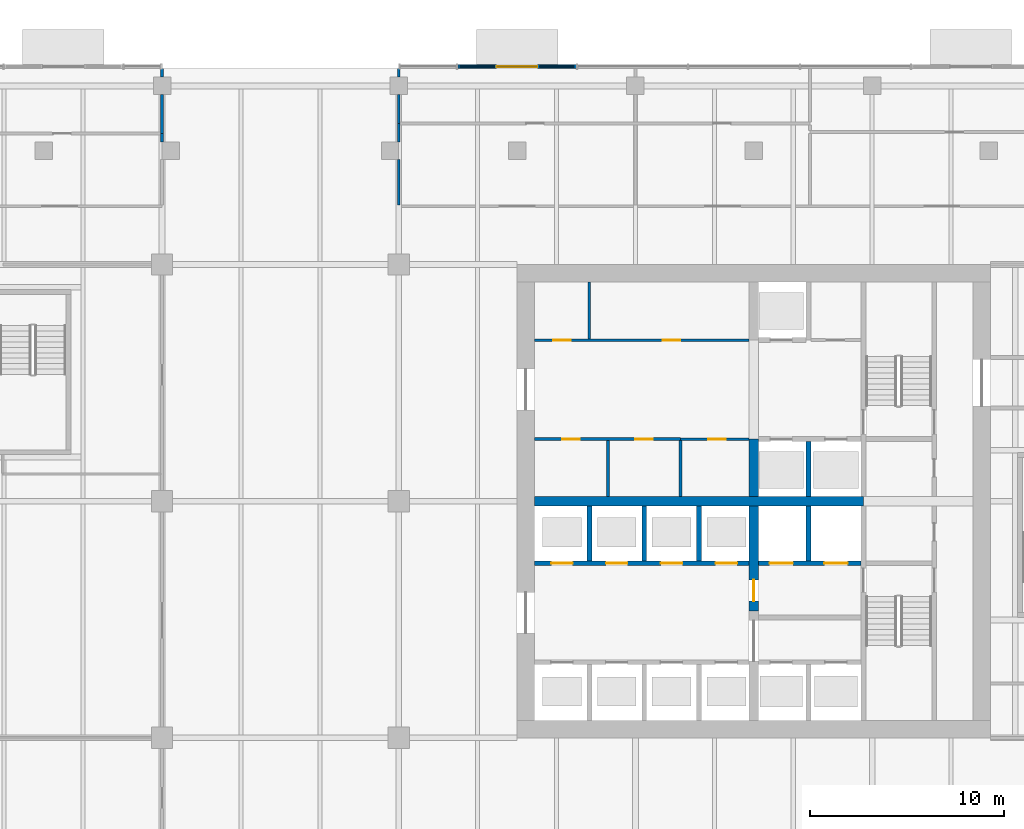
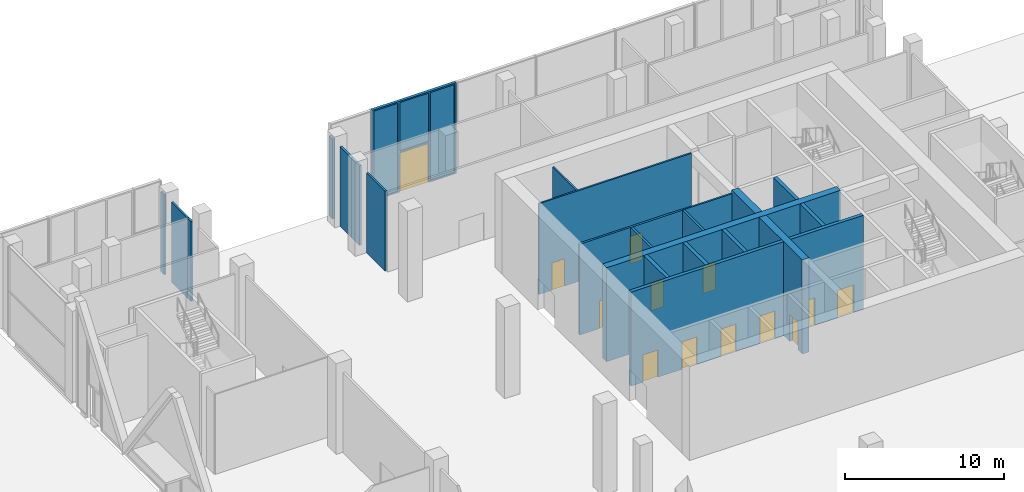
# One storey, part 20 of 36: 24 walls, 13 doors, 3 plates, 16 openings.
"""IFC4 building model written with IfcOpenShell, lengths in metres."""

from ifc_helpers import new_model, si_unit, direction, frame, frame_2d, origin, place, context, subcontext, project, spatial, polyline, rectangle, outline, extrude, source, transform, mapped, material, layer, layer_set, type_object, element, fill, save


model = new_model("IFC4")

# Units and contexts
model_context = context("Model", 3, precision=1e-05, world=origin(), true_north=direction((0.0, 1.0)))
body_context = subcontext(model_context, "Body", "Model", "MODEL_VIEW")
ifc_project = project(units=[si_unit("LENGTHUNIT", "METRE"), si_unit("AREAUNIT", "SQUARE_METRE"), si_unit("VOLUMEUNIT", "CUBIC_METRE"), si_unit("PLANEANGLEUNIT", "RADIAN"), si_unit("MASSUNIT", "GRAM", prefix="KILO")], contexts=[model_context])

# Site, building, storey
site_placement = place(None, origin())
site = spatial("IfcSite", under=ifc_project, at=site_placement, CompositionType="ELEMENT")
building_placement = place(site_placement, origin())
building = spatial("IfcBuilding", under=site, at=building_placement, Name="Tessera Gate Towers", CompositionType="ELEMENT")
storey_placement = place(building_placement, origin())
storey = spatial("IfcBuildingStorey", under=building, at=storey_placement, Name="L00", CompositionType="ELEMENT", Elevation=0.0)

# Wall, openings, doors
ifc_material_1 = material(Name="Concrete C40/50", Category="concrete")
ifc_layer_1 = layer(ifc_material_1, 0.25)
ifc_layer_set_1 = layer_set([ifc_layer_1], Name="CORE ENCLOSURE WALL 250")
wall_type_1 = type_object("IfcWallType", Name="CORE ENCLOSURE WALL 250", PredefinedType="SOLIDWALL", material=ifc_layer_set_1)
wall_1_placement = place(storey_placement, frame((42.449951171875, 33.39990234375, 0.0), z_axis=(0.0, 0.0, 1.0), x_axis=(-1.0, 0.0, 0.0)))
wall_1 = element("IfcWall", 1, at=wall_1_placement, inside=storey, type_object=wall_type_1, Name="L00 shaft and stair enclosure wall", PredefinedType="SOLIDWALL", context=body_context, shape_type="SweptSolid", body=[
    extrude(rectangle(XDim=11.050048828125, YDim=0.25, at=frame_2d((5.52490234375, 0.0))), origin(), (0.0, 0.0, 1.0), 7.199951171875),
])
shared_shape_1 = source(origin(), body_context, "Body", "SweptSolid", [
    extrude(rectangle(XDim=1.10009765625, YDim=2.10009765625, at=frame_2d((0.550048828125, 1.050048828125))), frame((0.0, 0.135009765625, 0.0), z_axis=(0.0, -1.0, 0.0), x_axis=(1.0, 0.0, 0.0)), (0.0, 0.0, 1.0), 0.27001953125),
])
opening_1_placement = place(wall_1_placement, frame((9.08740234375, 0.0, 0.0)))
opening_1 = element("IfcOpeningElement", 2, at=opening_1_placement, cuts=wall_1, Name="Opening LD-LR5", PredefinedType="OPENING", context=body_context, shape_type="MappedRepresentation", body=[
    mapped(shared_shape_1, transform((0.0, 0.0, 0.0), scale=1.0)),
])
opening_2_placement = place(wall_1_placement, frame((6.262451171875, 0.0, 0.0)))
opening_2 = element("IfcOpeningElement", 3, at=opening_2_placement, cuts=wall_1, Name="Opening LD-LR6", PredefinedType="OPENING", context=body_context, shape_type="MappedRepresentation", body=[
    mapped(shared_shape_1, transform((0.0, 0.0, 0.0), scale=1.0)),
])
opening_3_placement = place(wall_1_placement, frame((3.4375, 0.0, 0.0)))
opening_3 = element("IfcOpeningElement", 4, at=opening_3_placement, cuts=wall_1, Name="Opening LD-LR7", PredefinedType="OPENING", context=body_context, shape_type="MappedRepresentation", body=[
    mapped(shared_shape_1, transform((0.0, 0.0, 0.0), scale=1.0)),
])
opening_4_placement = place(wall_1_placement, frame((0.612548828125, 0.0, 0.0)))
opening_4 = element("IfcOpeningElement", 5, at=opening_4_placement, cuts=wall_1, Name="Opening LD-LR8", PredefinedType="OPENING", context=body_context, shape_type="MappedRepresentation", body=[
    mapped(shared_shape_1, transform((0.0, 0.0, 0.0), scale=1.0)),
])
ifc_material_2 = material(Name="Stainless steel", Category="steel")
door_type_1 = type_object("IfcDoorType", Name="CORE DOOR LD 1100x2100", OperationType="DOUBLE_DOOR_SLIDING", PredefinedType="DOOR", material=ifc_material_2)
shared_shape_2 = source(origin(), body_context, "Body", "SweptSolid", [
    extrude(rectangle(XDim=1.10009765625, YDim=2.10009765625, at=frame_2d((0.550048828125, 1.050048828125))), frame((0.0, 0.02490234375, 0.0), z_axis=(0.0, -1.0, 0.0), x_axis=(1.0, 0.0, 0.0)), (0.0, 0.0, 1.0), 0.050048828125),
])
door_1_placement = place(opening_1_placement, origin())
door_1 = element("IfcDoor", 6, at=door_1_placement, inside=storey, type_object=door_type_1, Name="Landing door LR5 L00", OperationType="DOUBLE_DOOR_SLIDING", OverallHeight=2.10009765625, OverallWidth=1.10009765625, PredefinedType="DOOR", context=body_context, shape_type="MappedRepresentation", body=[
    mapped(shared_shape_2, transform((0.0, 0.0, 0.0), scale=1.0)),
])
fill(opening_1, door_1)
door_2_placement = place(opening_2_placement, origin())
door_2 = element("IfcDoor", 7, at=door_2_placement, inside=storey, type_object=door_type_1, Name="Landing door LR6 L00", OperationType="DOUBLE_DOOR_SLIDING", OverallHeight=2.10009765625, OverallWidth=1.10009765625, PredefinedType="DOOR", context=body_context, shape_type="MappedRepresentation", body=[
    mapped(shared_shape_2, transform((0.0, 0.0, 0.0), scale=1.0)),
])
fill(opening_2, door_2)
door_3_placement = place(opening_3_placement, origin())
door_3 = element("IfcDoor", 8, at=door_3_placement, inside=storey, type_object=door_type_1, Name="Landing door LR7 L00", OperationType="DOUBLE_DOOR_SLIDING", OverallHeight=2.10009765625, OverallWidth=1.10009765625, PredefinedType="DOOR", context=body_context, shape_type="MappedRepresentation", body=[
    mapped(shared_shape_2, transform((0.0, 0.0, 0.0), scale=1.0)),
])
fill(opening_3, door_3)
door_4_placement = place(opening_4_placement, origin())
door_4 = element("IfcDoor", 9, at=door_4_placement, inside=storey, type_object=door_type_1, Name="Landing door LR8 L00", OperationType="DOUBLE_DOOR_SLIDING", OverallHeight=2.10009765625, OverallWidth=1.10009765625, PredefinedType="DOOR", context=body_context, shape_type="MappedRepresentation", body=[
    mapped(shared_shape_2, transform((0.0, 0.0, 0.0), scale=1.0)),
])
fill(opening_4, door_4)

wall_2_placement = place(storey_placement, frame((48.22509765625, 33.39990234375, 0.0), z_axis=(0.0, 0.0, 1.0), x_axis=(-1.0, 0.0, 0.0)))
wall_2 = element("IfcWall", 10, at=wall_2_placement, inside=storey, type_object=wall_type_1, Name="L00 shaft and stair enclosure wall", PredefinedType="SOLIDWALL", context=body_context, shape_type="SweptSolid", body=[
    extrude(rectangle(XDim=5.275146484375, YDim=0.25, at=frame_2d((2.6376953125, 0.0))), origin(), (0.0, 0.0, 1.0), 7.199951171875),
])
shared_shape_3 = source(origin(), body_context, "Body", "SweptSolid", [
    extrude(rectangle(XDim=1.199951171875, YDim=2.10009765625, at=frame_2d((0.60009765625, 1.050048828125))), frame((0.0, 0.135009765625, 0.0), z_axis=(0.0, -1.0, 0.0), x_axis=(1.0, 0.0, 0.0)), (0.0, 0.0, 1.0), 0.27001953125),
])
opening_5_placement = place(wall_2_placement, frame((3.512451171875, 0.0, 0.0)))
opening_5 = element("IfcOpeningElement", 11, at=opening_5_placement, cuts=wall_2, Name="Opening LD-FF1", PredefinedType="OPENING", context=body_context, shape_type="MappedRepresentation", body=[
    mapped(shared_shape_3, transform((0.0, 0.0, 0.0), scale=1.0)),
])
opening_6_placement = place(wall_2_placement, frame((0.6875, 0.0, 0.0)))
opening_6 = element("IfcOpeningElement", 12, at=opening_6_placement, cuts=wall_2, Name="Opening LD-FF2", PredefinedType="OPENING", context=body_context, shape_type="MappedRepresentation", body=[
    mapped(shared_shape_3, transform((0.0, 0.0, 0.0), scale=1.0)),
])
ifc_material_3 = material(Name="Stainless steel", Category="steel")
door_type_2 = type_object("IfcDoorType", Name="CORE DOOR LD1200 1200x2100", OperationType="DOUBLE_DOOR_SLIDING", PredefinedType="DOOR", material=ifc_material_3)
shared_shape_4 = source(origin(), body_context, "Body", "SweptSolid", [
    extrude(rectangle(XDim=1.199951171875, YDim=2.10009765625, at=frame_2d((0.60009765625, 1.050048828125))), frame((0.0, 0.02490234375, 0.0), z_axis=(0.0, -1.0, 0.0), x_axis=(1.0, 0.0, 0.0)), (0.0, 0.0, 1.0), 0.050048828125),
])
door_5_placement = place(opening_5_placement, origin())
door_5 = element("IfcDoor", 13, at=door_5_placement, inside=storey, type_object=door_type_2, Name="Landing door FF1 L00", OperationType="DOUBLE_DOOR_SLIDING", OverallHeight=2.10009765625, OverallWidth=1.199951171875, PredefinedType="DOOR", context=body_context, shape_type="MappedRepresentation", body=[
    mapped(shared_shape_4, transform((0.0, 0.0, 0.0), scale=1.0)),
])
fill(opening_5, door_5)
door_6_placement = place(opening_6_placement, origin())
door_6 = element("IfcDoor", 14, at=door_6_placement, inside=storey, type_object=door_type_2, Name="Landing door FF2 L00", OperationType="DOUBLE_DOOR_SLIDING", OverallHeight=2.10009765625, OverallWidth=1.199951171875, PredefinedType="DOOR", context=body_context, shape_type="MappedRepresentation", body=[
    mapped(shared_shape_4, transform((0.0, 0.0, 0.0), scale=1.0)),
])
fill(opening_6, door_6)

# Walls
wall_3_placement = place(storey_placement, frame((45.52490234375, 33.52490234375, 0.0), z_axis=(0.0, 0.0, 1.0), x_axis=(0.0, 1.0, 0.0)))
element("IfcWall", 15, at=wall_3_placement, inside=storey, type_object=wall_type_1, Name="L00 shaft and stair enclosure wall", PredefinedType="SOLIDWALL", context=body_context, shape_type="SweptSolid", body=[
    extrude(rectangle(XDim=2.8251953125, YDim=0.25, at=frame_2d((1.41259765625, 0.0))), origin(), (0.0, 0.0, 1.0), 7.199951171875),
])
wall_4_placement = place(storey_placement, frame((45.52490234375, 36.85009765625, 0.0), z_axis=(0.0, 0.0, 1.0), x_axis=(0.0, 1.0, 0.0)))
element("IfcWall", 16, at=wall_4_placement, inside=storey, type_object=wall_type_1, Name="L00 shaft and stair enclosure wall", PredefinedType="SOLIDWALL", context=body_context, shape_type="SweptSolid", body=[
    extrude(rectangle(XDim=2.824951171875, YDim=0.25, at=frame_2d((1.41259765625, 0.0))), origin(), (0.0, 0.0, 1.0), 7.199951171875),
])
for number, where, z_axis, x_axis, name in (
    (17, (34.22509765625, 33.52490234375, 0.0), (0.0, 0.0, 1.0), (0.0, 1.0, 0.0), "L00 shaft and stair enclosure wall"),
    (18, (37.050048828125, 33.52490234375, 0.0), (0.0, 0.0, 1.0), (0.0, 1.0, 0.0), "L00 shaft and stair enclosure wall"),
    (19, (39.875, 33.52490234375, 0.0), (0.0, 0.0, 1.0), (0.0, 1.0, 0.0), "L00 shaft and stair enclosure wall"),
):
    element("IfcWall", number, at=place(storey_placement, frame(where, z_axis=z_axis, x_axis=x_axis)), inside=storey, type_object=wall_type_1, Name=name, PredefinedType="SOLIDWALL", context=body_context, shape_type="SweptSolid", body=[
        extrude(rectangle(XDim=2.8251953125, YDim=0.25, at=frame_2d((1.41259765625, 0.0))), origin(), (0.0, 0.0, 1.0), 7.199951171875),
    ])

# Wall, openings, doors
ifc_material_4 = material(Name="Gypsum board on steel studs", Category="steel")
ifc_layer_2 = layer(ifc_material_4, 0.1201171875)
ifc_layer_set_2 = layer_set([ifc_layer_2], Name="CORE PARTITION 120")
wall_type_2 = type_object("IfcWallType", Name="CORE PARTITION 120", PredefinedType="PARTITIONING", material=ifc_layer_set_2)
wall_5_placement = place(storey_placement, frame((31.39990234375, 44.89990234375, 0.0), z_axis=(0.0, 0.0, 1.0), x_axis=(1.0, 0.0, 0.0)))
wall_5 = element("IfcWall", 20, at=wall_5_placement, inside=storey, type_object=wall_type_2, Name="L00 core partition", PredefinedType="PARTITIONING", context=body_context, shape_type="SweptSolid", body=[
    extrude(rectangle(XDim=11.050048828125, YDim=0.1201171875, at=frame_2d((5.52490234375, 0.0))), origin(), (0.0, 0.0, 1.0), 6.949951171875),
])
shared_shape_5 = source(origin(), body_context, "Body", "SweptSolid", [
    extrude(rectangle(XDim=0.89990234375, YDim=2.10009765625, at=frame_2d((0.449951171875, 1.050048828125))), frame((0.0, 0.070068359375, 0.0), z_axis=(0.0, -1.0, 0.0), x_axis=(1.0, 0.0, 0.0)), (0.0, 0.0, 1.0), 0.14013671875),
])
opening_7_placement = place(wall_5_placement, frame((0.96240234375, 0.0, 0.0)))
opening_7 = element("IfcOpeningElement", 21, at=opening_7_placement, cuts=wall_5, Name="Opening RD-T1-02-08", PredefinedType="OPENING", context=body_context, shape_type="MappedRepresentation", body=[
    mapped(shared_shape_5, transform((0.0, 0.0, 0.0), scale=1.0)),
])
opening_8_placement = place(wall_5_placement, frame((6.612548828125, 0.0, 0.0)))
opening_8 = element("IfcOpeningElement", 22, at=opening_8_placement, cuts=wall_5, Name="Opening RD-T1-02-09", PredefinedType="OPENING", context=body_context, shape_type="MappedRepresentation", body=[
    mapped(shared_shape_5, transform((0.0, 0.0, 0.0), scale=1.0)),
])
ifc_material_5 = material(Name="Hollow steel fire door", Category="steel")
door_type_3 = type_object("IfcDoorType", Name="CORE DOOR RD 900x2100", OperationType="NOTDEFINED", PredefinedType="DOOR", material=ifc_material_5)
shared_shape_6 = source(origin(), body_context, "Body", "SweptSolid", [
    extrude(rectangle(XDim=0.89990234375, YDim=2.10009765625, at=frame_2d((0.449951171875, 1.050048828125))), frame((0.0, 0.02490234375, 0.0), z_axis=(0.0, -1.0, 0.0), x_axis=(1.0, 0.0, 0.0)), (0.0, 0.0, 1.0), 0.050048828125),
])
door_7_placement = place(opening_7_placement, origin())
door_7 = element("IfcDoor", 23, at=door_7_placement, inside=storey, type_object=door_type_3, Name="Core room door", OperationType="SINGLE_SWING_LEFT", OverallHeight=2.10009765625, OverallWidth=0.89990234375, PredefinedType="DOOR", context=body_context, shape_type="MappedRepresentation", body=[
    mapped(shared_shape_6, transform((0.0, 0.0, 0.0), scale=1.0)),
])
fill(opening_7, door_7)
door_8_placement = place(opening_8_placement, origin())
door_8 = element("IfcDoor", 24, at=door_8_placement, inside=storey, type_object=door_type_3, Name="Core room door", OperationType="SINGLE_SWING_RIGHT", OverallHeight=2.10009765625, OverallWidth=0.89990234375, PredefinedType="DOOR", context=body_context, shape_type="MappedRepresentation", body=[
    mapped(shared_shape_6, transform((0.0, 0.0, 0.0), scale=1.0)),
])
fill(opening_8, door_8)

# Wall, opening, door
wall_6_placement = place(storey_placement, frame((42.449951171875, 39.800048828125, 0.0), z_axis=(0.0, 0.0, 1.0), x_axis=(-1.0, 0.0, 0.0)))
wall_6 = element("IfcWall", 25, at=wall_6_placement, inside=storey, type_object=wall_type_2, Name="L00 core partition", PredefinedType="PARTITIONING", context=body_context, shape_type="SweptSolid", body=[
    extrude(rectangle(XDim=3.52490234375, YDim=0.1201171875, at=frame_2d((1.762451171875, 0.0))), origin(), (0.0, 0.0, 1.0), 6.949951171875),
])
opening_9_placement = place(wall_6_placement, frame((1.1875, 0.0, 0.0)))
opening_9 = element("IfcOpeningElement", 26, at=opening_9_placement, cuts=wall_6, Name="Opening RD-T1-02-12", PredefinedType="OPENING", context=body_context, shape_type="MappedRepresentation", body=[
    mapped(shared_shape_5, transform((0.0, 0.0, 0.0), scale=1.0)),
])
door_9_placement = place(opening_9_placement, origin())
door_9 = element("IfcDoor", 27, at=door_9_placement, inside=storey, type_object=door_type_3, Name="Core room door", OperationType="SINGLE_SWING_LEFT", OverallHeight=2.10009765625, OverallWidth=0.89990234375, PredefinedType="DOOR", context=body_context, shape_type="MappedRepresentation", body=[
    mapped(shared_shape_6, transform((0.0, 0.0, 0.0), scale=1.0)),
])
fill(opening_9, door_9)

# Walls
wall_7_placement = place(storey_placement, frame((34.22509765625, 44.9599609375, 0.0), z_axis=(0.0, 0.0, 1.0), x_axis=(0.0, 1.0, 0.0)))
element("IfcWall", 28, at=wall_7_placement, inside=storey, type_object=wall_type_2, Name="L00 core partition", PredefinedType="PARTITIONING", context=body_context, shape_type="SweptSolid", body=[
    extrude(rectangle(XDim=2.93994140625, YDim=0.1201171875, at=frame_2d((1.469970703125, 0.0))), origin(), (0.0, 0.0, 1.0), 6.949951171875),
])
ifc_material_6 = material(Name="Concrete C70/85", Category="concrete")
ifc_layer_3 = layer(ifc_material_6, 0.5)
ifc_layer_set_3 = layer_set([ifc_layer_3], Name="CORE SPINE WALL 500 C70/85")
wall_type_3 = type_object("IfcWallType", Name="CORE SPINE WALL 500 C70/85", PredefinedType="SHEAR", material=ifc_layer_set_3)
wall_8_placement = place(storey_placement, frame((31.39990234375, 36.60009765625, 0.0), z_axis=(0.0, 0.0, 1.0), x_axis=(1.0, 0.0, 0.0)))
element("IfcWall", 29, at=wall_8_placement, inside=storey, type_object=wall_type_3, Name="Core wall spine L00", PredefinedType="SHEAR", context=body_context, shape_type="SweptSolid", body=[
    extrude(rectangle(XDim=16.9501953125, YDim=0.5, at=frame_2d((8.47509765625, 0.0))), origin(), (0.0, 0.0, 1.0), 7.199951171875),
])

# Wall, opening, door
wall_9_placement = place(storey_placement, frame((42.699951171875, 36.35009765625, 0.0), z_axis=(0.0, 0.0, 1.0), x_axis=(0.0, -1.0, 0.0)))
wall_9 = element("IfcWall", 30, at=wall_9_placement, inside=storey, type_object=wall_type_3, Name="Core wall spine L00", PredefinedType="SHEAR", context=body_context, shape_type="SweptSolid", body=[
    extrude(rectangle(XDim=5.400146484375, YDim=0.5, at=frame_2d((2.7001953125, 0.0))), origin(), (0.0, 0.0, 1.0), 7.199951171875),
])
shared_shape_7 = source(origin(), body_context, "Body", "SweptSolid", [
    extrude(rectangle(XDim=1.10009765625, YDim=2.10009765625, at=frame_2d((0.550048828125, 1.050048828125))), frame((0.0, 0.260009765625, 0.0), z_axis=(0.0, -1.0, 0.0), x_axis=(1.0, 0.0, 0.0)), (0.0, 0.0, 1.0), 0.52001953125),
])
opening_10_placement = place(wall_9_placement, frame((3.800048828125, 0.0, 0.0)))
opening_10 = element("IfcOpeningElement", 31, at=opening_10_placement, cuts=wall_9, Name="Opening FD-T1-02-05", PredefinedType="OPENING", context=body_context, shape_type="MappedRepresentation", body=[
    mapped(shared_shape_7, transform((0.0, 0.0, 0.0), scale=1.0)),
])
ifc_material_7 = material(Name="Hollow steel fire door", Category="steel")
door_type_4 = type_object("IfcDoorType", Name="CORE DOOR FD 1100x2100", OperationType="NOTDEFINED", PredefinedType="DOOR", material=ifc_material_7)
door_10_placement = place(opening_10_placement, origin())
door_10 = element("IfcDoor", 32, at=door_10_placement, inside=storey, type_object=door_type_4, Name="Fire-fighting lobby door", OperationType="SINGLE_SWING_RIGHT", OverallHeight=2.10009765625, OverallWidth=1.10009765625, PredefinedType="DOOR", context=body_context, shape_type="MappedRepresentation", body=[
    mapped(shared_shape_2, transform((0.0, 0.0, 0.0), scale=1.0)),
])
fill(opening_10, door_10)

# Walls
wall_10_placement = place(storey_placement, frame((42.699951171875, 36.85009765625, 0.0), z_axis=(0.0, 0.0, 1.0), x_axis=(0.0, 1.0, 0.0)))
element("IfcWall", 33, at=wall_10_placement, inside=storey, type_object=wall_type_3, Name="Core wall spine L00", PredefinedType="SHEAR", context=body_context, shape_type="SweptSolid", body=[
    extrude(rectangle(XDim=2.949951171875, YDim=0.5, at=frame_2d((1.47509765625, 0.0))), origin(), (0.0, 0.0, 1.0), 7.199951171875),
])
ifc_material_8 = material(Name="Gypsum board on steel studs, mineral wool", Category="steel")
ifc_layer_4 = layer(ifc_material_8, 0.14990234375)
ifc_layer_set_4 = layer_set([ifc_layer_4], Name="CORRIDOR WALL 150")
wall_type_4 = type_object("IfcWallType", Name="CORRIDOR WALL 150", PredefinedType="PARTITIONING", material=ifc_layer_set_4)
wall_11_placement = place(storey_placement, frame((24.39990234375, 51.8759765625, 0.0), z_axis=(0.0, 0.0, 1.0), x_axis=(0.0, 1.0, 0.0)))
element("IfcWall", 34, at=wall_11_placement, inside=storey, type_object=wall_type_4, Name="PODIUM-L00-PW-028", PredefinedType="PARTITIONING", context=body_context, shape_type="SweptSolid", body=[
    extrude(rectangle(XDim=2.322998046875, YDim=0.14990234375, at=frame_2d((1.16162109375, 0.0))), origin(), (0.0, 0.0, 1.0), 6.114990234375),
])
wall_12_placement = place(storey_placement, frame((12.199951171875, 55.10107421875, 0.0), z_axis=(0.0, 0.0, 1.0), x_axis=(0.0, 1.0, 0.0)))
element("IfcWall", 35, at=wall_12_placement, inside=storey, type_object=wall_type_4, Name="PODIUM-L00-PW-033", PredefinedType="PARTITIONING", context=body_context, shape_type="SweptSolid", body=[
    extrude(rectangle(XDim=0.448974609375, YDim=0.14990234375, at=frame_2d((0.224609375, 0.0))), origin(), (0.0, 0.0, 1.0), 6.114990234375),
])
wall_13_placement = place(storey_placement, frame((24.39990234375, 55.10107421875, 0.0), z_axis=(0.0, 0.0, 1.0), x_axis=(0.0, 1.0, 0.0)))
element("IfcWall", 36, at=wall_13_placement, inside=storey, type_object=wall_type_4, Name="PODIUM-L00-PW-034", PredefinedType="PARTITIONING", context=body_context, shape_type="SweptSolid", body=[
    extrude(rectangle(XDim=0.973876953125, YDim=0.14990234375, at=frame_2d((0.48681640625, 0.0))), origin(), (0.0, 0.0, 1.0), 6.114990234375),
])

# Wall, openings, doors
ifc_material_9 = material(Name="Gypsum board on steel studs", Category="steel")
ifc_layer_5 = layer(ifc_material_9, 0.14990234375)
ifc_layer_set_5 = layer_set([ifc_layer_5], Name="SERVICE ROOM WALL 150")
wall_type_5 = type_object("IfcWallType", Name="SERVICE ROOM WALL 150", PredefinedType="PARTITIONING", material=ifc_layer_set_5)
wall_14_placement = place(storey_placement, frame((38.925048828125, 39.800048828125, 0.0), z_axis=(0.0, 0.0, 1.0), x_axis=(-1.0, 0.0, 0.0)))
wall_14 = element("IfcWall", 37, at=wall_14_placement, inside=storey, type_object=wall_type_5, Name="L00 service room wall", PredefinedType="PARTITIONING", context=body_context, shape_type="SweptSolid", body=[
    extrude(rectangle(XDim=7.525146484375, YDim=0.14990234375, at=frame_2d((3.7626953125, 0.0))), origin(), (0.0, 0.0, 1.0), 6.949951171875),
])
shared_shape_8 = source(origin(), body_context, "Body", "SweptSolid", [
    extrude(rectangle(XDim=0.89990234375, YDim=2.10009765625, at=frame_2d((0.449951171875, 1.050048828125))), frame((0.0, 0.0849609375, 0.0), z_axis=(0.0, -1.0, 0.0), x_axis=(1.0, 0.0, 0.0)), (0.0, 0.0, 1.0), 0.169921875),
])
opening_11_placement = place(wall_14_placement, frame((5.1875, 0.0, 0.0)))
opening_11 = element("IfcOpeningElement", 38, at=opening_11_placement, cuts=wall_14, Name="Opening RD-T1-02-10", PredefinedType="OPENING", context=body_context, shape_type="MappedRepresentation", body=[
    mapped(shared_shape_8, transform((0.0, 0.0, 0.0), scale=1.0)),
])
opening_12_placement = place(wall_14_placement, frame((1.425048828125, 0.0, 0.0)))
opening_12 = element("IfcOpeningElement", 39, at=opening_12_placement, cuts=wall_14, Name="Opening RD-T1-02-11", PredefinedType="OPENING", context=body_context, shape_type="MappedRepresentation", body=[
    mapped(shared_shape_8, transform((0.0, 0.0, 0.0), scale=1.0)),
])
door_11_placement = place(opening_11_placement, origin())
door_11 = element("IfcDoor", 40, at=door_11_placement, inside=storey, type_object=door_type_3, Name="Core room door", OperationType="SINGLE_SWING_RIGHT", OverallHeight=2.10009765625, OverallWidth=0.89990234375, PredefinedType="DOOR", context=body_context, shape_type="MappedRepresentation", body=[
    mapped(shared_shape_6, transform((0.0, 0.0, 0.0), scale=1.0)),
])
fill(opening_11, door_11)
door_12_placement = place(opening_12_placement, origin())
door_12 = element("IfcDoor", 41, at=door_12_placement, inside=storey, type_object=door_type_3, Name="Core room door", OperationType="SINGLE_SWING_LEFT", OverallHeight=2.10009765625, OverallWidth=0.89990234375, PredefinedType="DOOR", context=body_context, shape_type="MappedRepresentation", body=[
    mapped(shared_shape_6, transform((0.0, 0.0, 0.0), scale=1.0)),
])
fill(opening_12, door_12)

# Walls
for number, where, z_axis, x_axis, name in (
    (42, (35.175048828125, 36.85009765625, 0.0), (0.0, 0.0, 1.0), (0.0, 1.0, 0.0), "L00 service room wall"),
    (43, (38.925048828125, 36.85009765625, 0.0), (0.0, 0.0, 1.0), (0.0, 1.0, 0.0), "L00 service room wall"),
):
    element("IfcWall", number, at=place(storey_placement, frame(where, z_axis=z_axis, x_axis=x_axis)), inside=storey, type_object=wall_type_5, Name=name, PredefinedType="PARTITIONING", context=body_context, shape_type="SweptSolid", body=[
        extrude(rectangle(XDim=2.875, YDim=0.14990234375, at=frame_2d((1.4375, 0.0))), origin(), (0.0, 0.0, 1.0), 6.949951171875),
    ])
ifc_material_10 = material(Name="Gypsum board on steel studs, mineral wool", Category="steel")
ifc_layer_6 = layer(ifc_material_10, 0.14990234375)
ifc_layer_set_6 = layer_set([ifc_layer_6], Name="STORE WALL 150")
wall_type_6 = type_object("IfcWallType", Name="STORE WALL 150", PredefinedType="PARTITIONING", material=ifc_layer_set_6)
wall_15_placement = place(storey_placement, frame((12.199951171875, 55.551025390625, 0.0), z_axis=(0.0, 0.0, 1.0), x_axis=(0.0, 1.0, 0.0)))
element("IfcWall", 44, at=wall_15_placement, inside=storey, type_object=wall_type_6, Name="PODIUM-L00-PW-036", PredefinedType="PARTITIONING", context=body_context, shape_type="SweptSolid", body=[
    extrude(rectangle(XDim=1.998046875, YDim=0.14990234375, at=frame_2d((0.9990234375, 0.0))), origin(), (0.0, 0.0, 1.0), 6.114990234375),
])
wall_16_placement = place(storey_placement, frame((24.39990234375, 56.075927734375, 0.0), z_axis=(0.0, 0.0, 1.0), x_axis=(0.0, 1.0, 0.0)))
element("IfcWall", 45, at=wall_16_placement, inside=storey, type_object=wall_type_6, Name="PODIUM-L00-PW-042", PredefinedType="PARTITIONING", context=body_context, shape_type="SweptSolid", body=[
    extrude(rectangle(XDim=1.47314453125, YDim=0.14990234375, at=frame_2d((0.736572265625, 0.0))), origin(), (0.0, 0.0, 1.0), 6.114990234375),
])
for number, where, z_axis, x_axis, name in (
    (46, (12.199951171875, 58.450927734375, 0.0), (0.0, 0.0, 1.0), (0.0, 1.0, 0.0), "PODIUM-L00-PW-046"),
    (47, (24.39990234375, 58.450927734375, 0.0), (0.0, 0.0, 1.0), (0.0, 1.0, 0.0), "PODIUM-L00-PW-047"),
):
    element("IfcWall", number, at=place(storey_placement, frame(where, z_axis=z_axis, x_axis=x_axis)), inside=storey, type_object=wall_type_6, Name=name, PredefinedType="PARTITIONING", context=body_context, shape_type="SweptSolid", body=[
        extrude(rectangle(XDim=0.448974609375, YDim=0.14990234375, at=frame_2d((0.224609375, 0.0))), origin(), (0.0, 0.0, 1.0), 6.114990234375),
    ])

# Wall, openings, plates, door
ifc_material_11 = material(Name="Aluminium storefront glazing", Category="aluminium")
ifc_layer_7 = layer(ifc_material_11, 0.199951171875)
ifc_layer_set_7 = layer_set([ifc_layer_7], Name="WS2 storefront bay wall")
wall_type_7 = type_object("IfcWallType", Name="WS2 storefront bay wall", PredefinedType="PARTITIONING", material=ifc_layer_set_7)
wall_17_placement = place(storey_placement, frame((33.550048828125, 59.0, 0.0), z_axis=(0.0, 0.0, 1.0), x_axis=(-1.0, 0.0, 0.0)))
wall_17 = element("IfcWall", 48, at=wall_17_placement, inside=storey, type_object=wall_type_7, Name="Storefront bay wall PD WS2-0006", PredefinedType="PARTITIONING", context=body_context, shape_type="SweptSolid", body=[
    extrude(rectangle(XDim=6.10009765625, YDim=0.199951171875, at=frame_2d((3.050048828125, 0.0))), origin(), (0.0, 0.0, 1.0), 6.949951171875),
])
shared_shape_9 = source(origin(), body_context, "Body", "SweptSolid", [
    extrude(rectangle(XDim=2.10009765625, YDim=3.0, at=frame_2d((1.050048828125, 1.5))), frame((0.0, 0.10986328125, 0.0), z_axis=(0.0, -1.0, 0.0), x_axis=(1.0, 0.0, 0.0)), (0.0, 0.0, 1.0), 0.219970703125),
])
opening_13_placement = place(wall_17_placement, frame((2.0, 0.0, 0.0)))
opening_13 = element("IfcOpeningElement", 49, at=opening_13_placement, cuts=wall_17, Name="Opening D-EP06", PredefinedType="OPENING", context=body_context, shape_type="MappedRepresentation", body=[
    mapped(shared_shape_9, transform((0.0, 0.0, 0.0), scale=1.0)),
])
shared_shape_10 = source(origin(), body_context, "Body", "SweptSolid", [
    extrude(outline(polyline([(0.1201171875, 0.10009765625), (1.8798828125, 0.10009765625), (1.8798828125, 6.85009765625), (0.1201171875, 6.85009765625), (0.1201171875, 0.10009765625)])), frame((0.0, 0.10986328125, 0.0), z_axis=(0.0, -1.0, 0.0), x_axis=(1.0, 0.0, 0.0)), (0.0, 0.0, 1.0), 0.219970703125),
])
opening_14_placement = place(wall_17_placement, origin())
opening_14 = element("IfcOpeningElement", 50, at=opening_14_placement, cuts=wall_17, Name="Opening PD-PL3-0016", PredefinedType="OPENING", context=body_context, shape_type="MappedRepresentation", body=[
    mapped(shared_shape_10, transform((0.0, 0.0, 0.0), scale=1.0)),
])
shared_shape_11 = source(origin(), body_context, "Body", "SweptSolid", [
    extrude(outline(polyline([(4.219970703125, 0.10009765625), (5.97998046875, 0.10009765625), (5.97998046875, 6.85009765625), (4.219970703125, 6.85009765625), (4.219970703125, 0.10009765625)])), frame((0.0, 0.10986328125, 0.0), z_axis=(0.0, -1.0, 0.0), x_axis=(1.0, 0.0, 0.0)), (0.0, 0.0, 1.0), 0.219970703125),
])
opening_15_placement = place(wall_17_placement, origin())
opening_15 = element("IfcOpeningElement", 51, at=opening_15_placement, cuts=wall_17, Name="Opening PD-PL3-0017", PredefinedType="OPENING", context=body_context, shape_type="MappedRepresentation", body=[
    mapped(shared_shape_11, transform((0.0, 0.0, 0.0), scale=1.0)),
])
shared_shape_12 = source(origin(), body_context, "Body", "SweptSolid", [
    extrude(outline(polyline([(2.0, 3.1201171875), (4.10009765625, 3.1201171875), (4.10009765625, 6.85009765625), (2.0, 6.85009765625), (2.0, 3.1201171875)])), frame((0.0, 0.10986328125, 0.0), z_axis=(0.0, -1.0, 0.0), x_axis=(1.0, 0.0, 0.0)), (0.0, 0.0, 1.0), 0.219970703125),
])
opening_16_placement = place(wall_17_placement, origin())
opening_16 = element("IfcOpeningElement", 52, at=opening_16_placement, cuts=wall_17, Name="Opening PD-PL3-0018", PredefinedType="OPENING", context=body_context, shape_type="MappedRepresentation", body=[
    mapped(shared_shape_12, transform((0.0, 0.0, 0.0), scale=1.0)),
])
ifc_material_12 = material(Name="Low-e laminated glass", Category="glass")
ifc_layer_8 = layer(ifc_material_12, 0.06005859375)
ifc_layer_set_8 = layer_set([ifc_layer_8], Name="PL3 storefront pane")
plate_type = type_object("IfcPlateType", Name="PL3 storefront pane", PredefinedType="SHEET", material=ifc_layer_set_8)
shared_shape_13 = source(origin(), body_context, "Body", "SweptSolid", [
    extrude(outline(polyline([(0.1201171875, 0.10009765625), (1.8798828125, 0.10009765625), (1.8798828125, 6.85009765625), (0.1201171875, 6.85009765625), (0.1201171875, 0.10009765625)])), frame((0.0, 0.030029296875, 0.0), z_axis=(0.0, -1.0, 0.0), x_axis=(1.0, 0.0, 0.0)), (0.0, 0.0, 1.0), 0.06005859375),
])
plate_1_placement = place(opening_14_placement, origin())
plate_1 = element("IfcPlate", 53, at=plate_1_placement, inside=storey, type_object=plate_type, Name="Glass pane PD PL3-0016", PredefinedType="SHEET", context=body_context, shape_type="MappedRepresentation", body=[
    mapped(shared_shape_13, transform((0.0, 0.0, 0.0), scale=1.0)),
])
fill(opening_14, plate_1)
shared_shape_14 = source(origin(), body_context, "Body", "SweptSolid", [
    extrude(outline(polyline([(4.219970703125, 0.10009765625), (5.97998046875, 0.10009765625), (5.97998046875, 6.85009765625), (4.219970703125, 6.85009765625), (4.219970703125, 0.10009765625)])), frame((0.0, 0.030029296875, 0.0), z_axis=(0.0, -1.0, 0.0), x_axis=(1.0, 0.0, 0.0)), (0.0, 0.0, 1.0), 0.06005859375),
])
plate_2_placement = place(opening_15_placement, origin())
plate_2 = element("IfcPlate", 54, at=plate_2_placement, inside=storey, type_object=plate_type, Name="Glass pane PD PL3-0017", PredefinedType="SHEET", context=body_context, shape_type="MappedRepresentation", body=[
    mapped(shared_shape_14, transform((0.0, 0.0, 0.0), scale=1.0)),
])
fill(opening_15, plate_2)
shared_shape_15 = source(origin(), body_context, "Body", "SweptSolid", [
    extrude(outline(polyline([(2.0, 3.1201171875), (4.10009765625, 3.1201171875), (4.10009765625, 6.85009765625), (2.0, 6.85009765625), (2.0, 3.1201171875)])), frame((0.0, 0.030029296875, 0.0), z_axis=(0.0, -1.0, 0.0), x_axis=(1.0, 0.0, 0.0)), (0.0, 0.0, 1.0), 0.06005859375),
])
plate_3_placement = place(opening_16_placement, origin())
plate_3 = element("IfcPlate", 55, at=plate_3_placement, inside=storey, type_object=plate_type, Name="Glass pane PD PL3-0018", PredefinedType="SHEET", context=body_context, shape_type="MappedRepresentation", body=[
    mapped(shared_shape_15, transform((0.0, 0.0, 0.0), scale=1.0)),
])
fill(opening_16, plate_3)
ifc_material_13 = material(Name="Aluminium storefront glazing", Category="aluminium")
ifc_layer_9 = layer(ifc_material_13, 0.050048828125)
ifc_layer_set_9 = layer_set([ifc_layer_9], Name="DL6 wide entrance door")
door_type_5 = type_object("IfcDoorType", Name="DL6 wide entrance door", OperationType="DOUBLE_DOOR_SINGLE_SWING", PredefinedType="DOOR", material=ifc_layer_set_9)
shared_shape_16 = source(origin(), body_context, "Body", "SweptSolid", [
    extrude(rectangle(XDim=2.10009765625, YDim=3.0, at=frame_2d((1.050048828125, 1.5))), frame((0.0, 0.02490234375, 0.0), z_axis=(0.0, -1.0, 0.0), x_axis=(1.0, 0.0, 0.0)), (0.0, 0.0, 1.0), 0.050048828125),
])
door_13_placement = place(opening_13_placement, origin())
door_13 = element("IfcDoor", 56, at=door_13_placement, inside=storey, type_object=door_type_5, Name="Entrance door D-EP06", OperationType="DOUBLE_DOOR_SINGLE_SWING", OverallHeight=3.0, OverallWidth=2.10009765625, PredefinedType="DOOR", context=body_context, shape_type="MappedRepresentation", body=[
    mapped(shared_shape_16, transform((0.0, 0.0, 0.0), scale=1.0)),
])
fill(opening_13, door_13)

save(model, "model.ifc")
